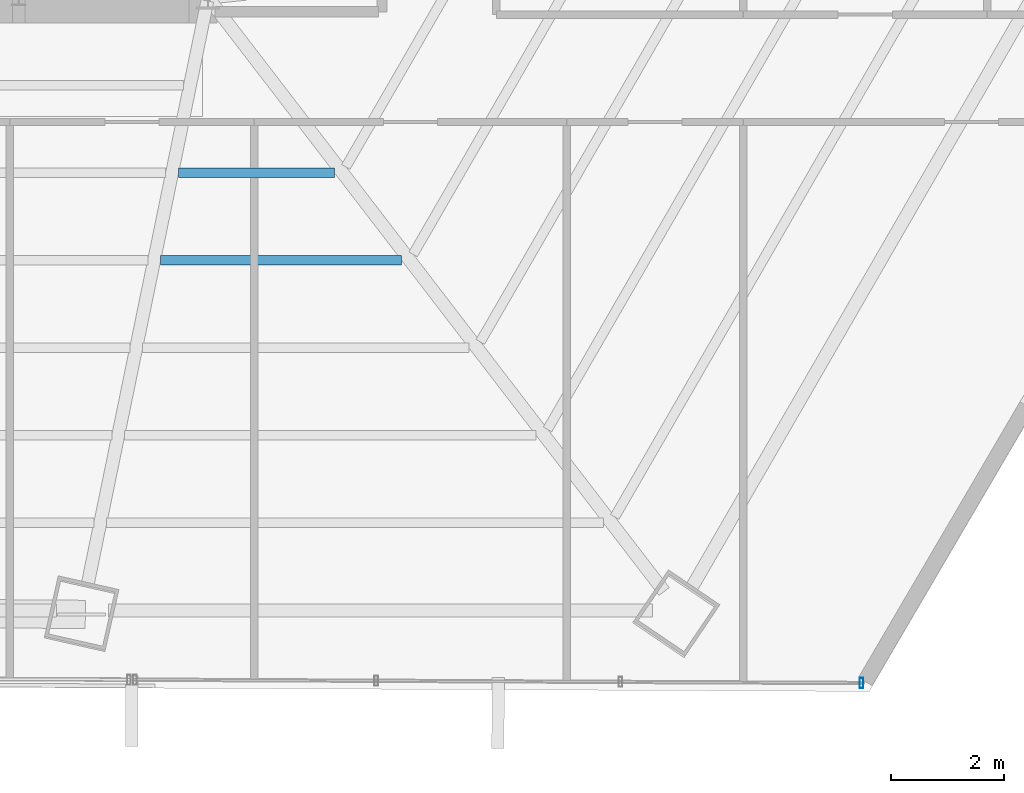
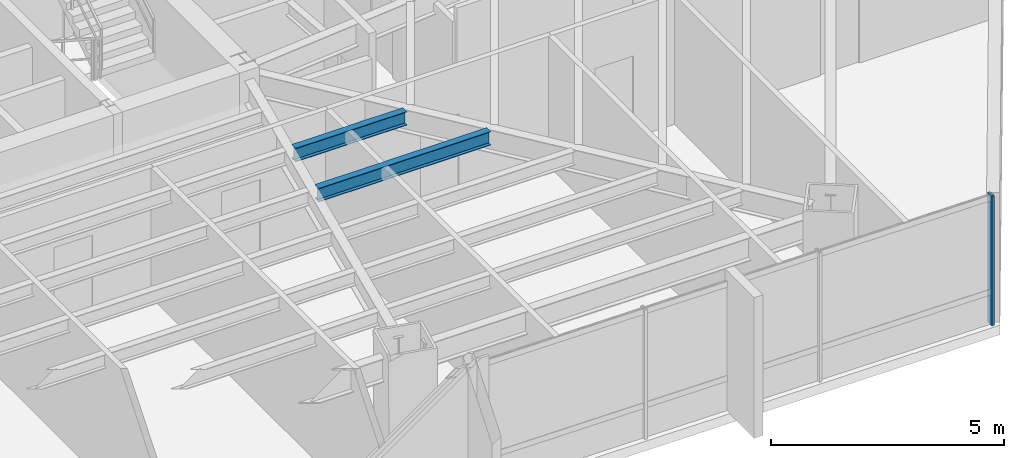
# One storey, part 17 of 36: 2 beams, 1 member, 1 element without a shape of its own.
"""IFC4 building model written with IfcOpenShell, lengths in metres."""

from ifc_helpers import new_model, si_unit, direction, frame, origin, origin_2d, place, context, subcontext, project, spatial, hollow_rectangle, i_section, extrude, source, transform, mapped, material, material_profile, profile_set, type_object, type_shapes, element, aggregate, save


model = new_model("IFC4")

# Units and contexts
model_context = context("Model", 3, precision=1e-05, world=origin(), true_north=direction((0.0, 1.0)))
body_context = subcontext(model_context, "Body", "Model", "MODEL_VIEW")
ifc_project = project(units=[si_unit("LENGTHUNIT", "METRE"), si_unit("AREAUNIT", "SQUARE_METRE"), si_unit("VOLUMEUNIT", "CUBIC_METRE"), si_unit("PLANEANGLEUNIT", "RADIAN"), si_unit("MASSUNIT", "GRAM", prefix="KILO")], contexts=[model_context])

# Site, building, storey
site_placement = place(None, origin())
site = spatial("IfcSite", under=ifc_project, at=site_placement, CompositionType="ELEMENT")
building_placement = place(site_placement, origin())
building = spatial("IfcBuilding", under=site, at=building_placement, Name="Caelisora Broadcast Tower", CompositionType="ELEMENT")
storey_placement = place(building_placement, frame((0.0, 0.0, 112.699951171875)))
storey = spatial("IfcBuildingStorey", under=building, at=storey_placement, Name="L29", CompositionType="ELEMENT", Elevation=112.699951171875)

# Beams
ifc_material_1 = material(Name="Steel Grade 350 (AS/NZS 3679.1)", Category="steel")
ifc_material_profile_1 = material_profile(ifc_material_1, i_section(OverallWidth=0.172119140625, OverallDepth=0.358642578125, WebThickness=0.008056640625, FlangeThickness=0.012939453125, at=origin_2d()), Name="Steel Grade 350 (AS/NZS 3679.1)")
ifc_profile_set_1 = profile_set([ifc_material_profile_1], Name="Steel Grade 350 (AS/NZS 3679.1)")
beam_type = type_object("IfcBeamType", Name="SB02", PredefinedType="JOIST", material=ifc_profile_set_1)
shared_shape_1 = source(origin(), body_context, "Body", "SweptSolid", [
    extrude(i_section(OverallWidth=0.172119140625, OverallDepth=0.358642578125, WebThickness=0.008056640625, FlangeThickness=0.012939453125, at=origin_2d()), origin(), (0.0, 0.0, 1.0), 2.7607421875),
])
beam_1_placement = place(storey_placement, frame((44.977783203125, 14.30224609375, 3.220703125), z_axis=(1.0, 0.0, 0.0), x_axis=(0.0, 1.0, 0.0)))
element("IfcBeam", 1, at=beam_1_placement, inside=storey, type_object=beam_type, Name="L29 beam SB02", PredefinedType="JOIST", context=body_context, shape_type="MappedRepresentation", body=[
    mapped(shared_shape_1, transform((0.0, 0.0, 0.0), scale=1.0)),
])
shared_shape_2 = source(origin(), body_context, "Body", "SweptSolid", [
    extrude(i_section(OverallWidth=0.172119140625, OverallDepth=0.358642578125, WebThickness=0.008056640625, FlangeThickness=0.012939453125, at=origin_2d()), origin(), (0.0, 0.0, 1.0), 4.26806640625),
])
type_shapes(beam_type, [shared_shape_1, shared_shape_2])
beam_2_placement = place(storey_placement, frame((44.66015625, 12.75341796875, 3.220703125), z_axis=(1.0, 0.0, 0.0), x_axis=(0.0, 1.0, 0.0)))
element("IfcBeam", 2, at=beam_2_placement, inside=storey, type_object=beam_type, Name="L29 beam SB02", PredefinedType="JOIST", context=body_context, shape_type="MappedRepresentation", body=[
    mapped(shared_shape_2, transform((0.0, 0.0, 0.0), scale=1.0)),
])

# Curtain wall, member
ifc_material_2 = material(Name="Unitised Aluminium and Low-E Glass Curtain Wall", Category="glass")
curtain_wall_type = type_object("IfcCurtainWallType", Name="CW-Z2", PredefinedType="NOTDEFINED", material=ifc_material_2)
curtain_wall_placement = place(storey_placement, origin())
curtain_wall = element("IfcCurtainWall", 3, at=curtain_wall_placement, inside=storey, type_object=curtain_wall_type, Name="L29 curtain wall CW-Z2", PredefinedType="NOTDEFINED")
ifc_material_3 = material(Name="Aluminium 6063-T6 Anodised Terracotta Bronze", Category="aluminium")
ifc_material_profile_2 = material_profile(ifc_material_3, hollow_rectangle(XDim=0.06494140625, YDim=0.179931640625, WallThickness=0.00341796875, at=origin_2d()), Name="Aluminium 6063-T6 Anodised Terracotta Bronze")
ifc_profile_set_2 = profile_set([ifc_material_profile_2], Name="Aluminium 6063-T6 Anodised Terracotta Bronze")
member_type = type_object("IfcMemberType", Name="CWM-02", PredefinedType="MULLION", material=ifc_profile_set_2)
shared_shape_3 = source(origin(), body_context, "Body", "SweptSolid", [
    extrude(hollow_rectangle(XDim=0.06494140625, YDim=0.179931640625, WallThickness=0.00341796875, at=origin_2d()), origin(), (0.0, 0.0, 1.0), 3.400146484375),
])
type_shapes(member_type, [shared_shape_3])
member_placement = place(storey_placement, frame((57.06689453125, 5.271240234375, 0.0), z_axis=(0.0, 0.0, 1.0), x_axis=(1.0, 0.0, 0.0)))
member = element("IfcMember", 4, at=member_placement, type_object=member_type, Name="L29-CW-B05 mullion #0", PredefinedType="MULLION", context=body_context, shape_type="MappedRepresentation", body=[
    mapped(shared_shape_3, transform((0.0, 0.0, 0.0), scale=1.0)),
])
aggregate(curtain_wall, [member])

save(model, "model.ifc")
